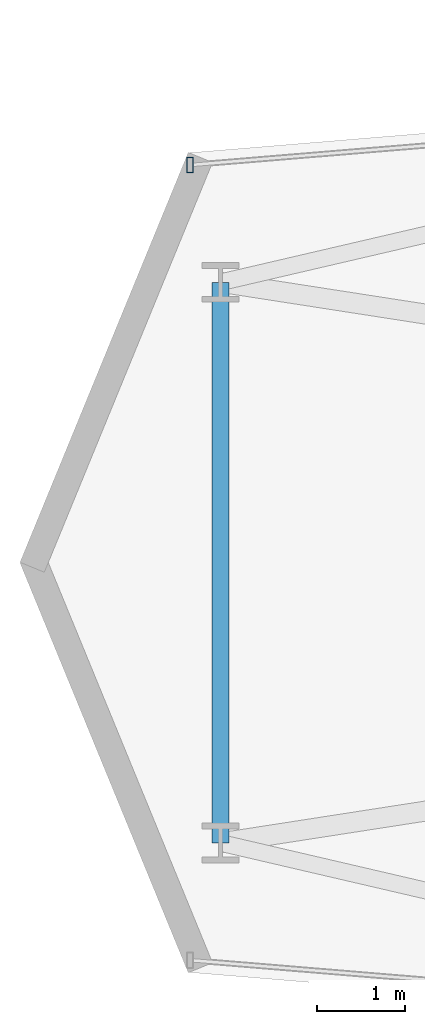
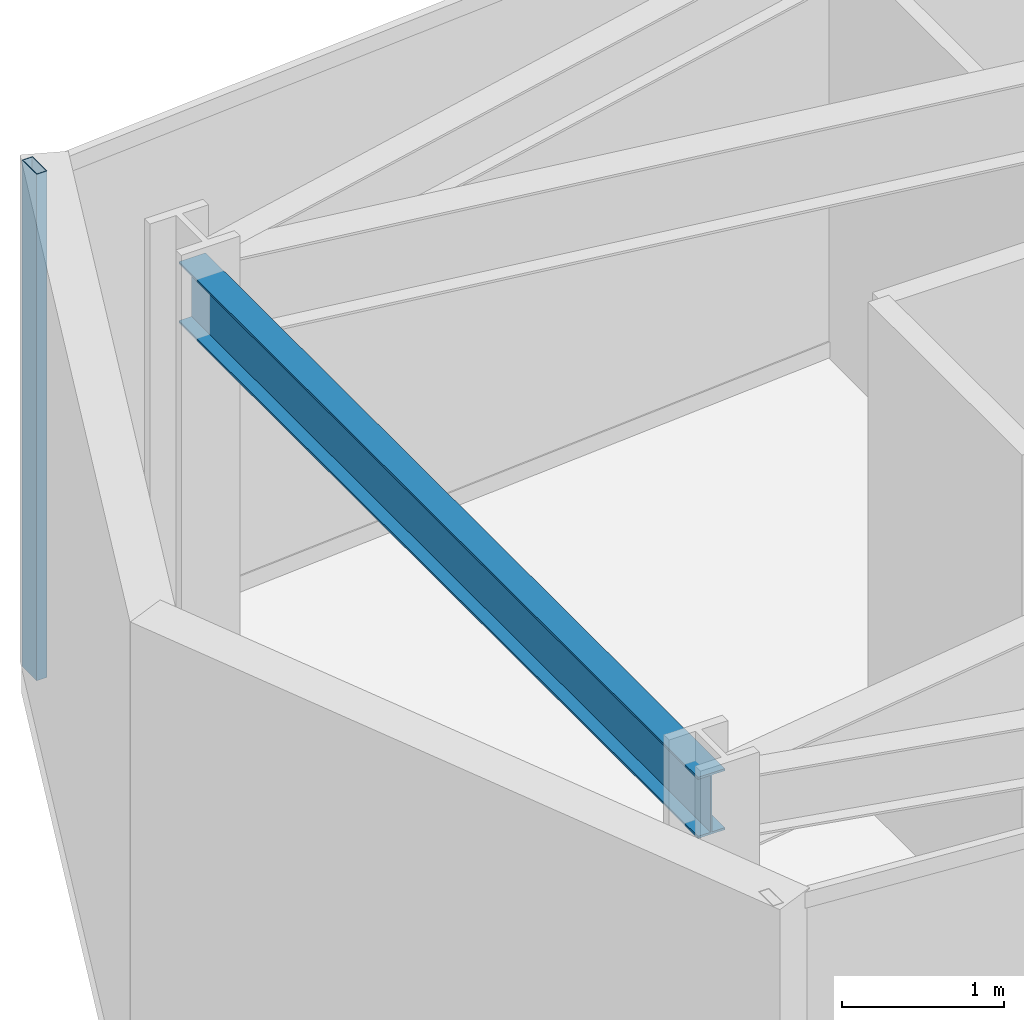
# One storey, part 6 of 25: 1 beam, 1 member, 1 element without a shape of its own.
"""IFC4 building model written with IfcOpenShell, lengths in metres."""

from ifc_helpers import new_model, si_unit, direction, frame, origin, origin_2d, place, context, subcontext, project, spatial, hollow_rectangle, i_section, extrude, material, layer, layer_set, material_profile, profile_set, type_object, element, aggregate, save


model = new_model("IFC4")

# Units and contexts
model_context = context("Model", 3, precision=1e-05, world=origin(), true_north=direction((0.0, 1.0)))
body_context = subcontext(model_context, "Body", "Model", "MODEL_VIEW")
ifc_project = project(units=[si_unit("LENGTHUNIT", "METRE"), si_unit("AREAUNIT", "SQUARE_METRE"), si_unit("VOLUMEUNIT", "CUBIC_METRE"), si_unit("PLANEANGLEUNIT", "RADIAN"), si_unit("MASSUNIT", "GRAM", prefix="KILO")], contexts=[model_context])

# Site, building, storey
site_placement = place(None, origin())
site = spatial("IfcSite", under=ifc_project, at=site_placement, CompositionType="ELEMENT")
building_placement = place(site_placement, origin())
building = spatial("IfcBuilding", under=site, at=building_placement, Name="Veymaron Broadcast Tower", CompositionType="ELEMENT")
storey_placement = place(building_placement, frame((0.0, 0.0, 120.89990234375)))
storey = spatial("IfcBuildingStorey", under=building, at=storey_placement, Name="L27", CompositionType="ELEMENT", Elevation=120.89990234375)

# Beam
ifc_material_1 = material(Name="Structural steel ASTM A992 Gr 50", Category="steel")
ifc_material_profile_1 = material_profile(ifc_material_1, i_section(OverallWidth=0.19091796875, OverallDepth=0.4599609375, WebThickness=0.010009765625, FlangeThickness=0.01611328125, at=origin_2d()), Name="W460X82")
ifc_profile_set_1 = profile_set([ifc_material_profile_1], Name="Structural steel ASTM A992 Gr 50")
beam_type = type_object("IfcBeamType", Name="BM-SP1", PredefinedType="SPANDREL", material=ifc_profile_set_1)
beam_placement = place(storey_placement, frame((10.56005859375, 20.800048828125, 3.580078125), z_axis=(0.0, 1.0, 0.0), x_axis=(-1.0, 0.0, 0.0)))
element("IfcBeam", 1, at=beam_placement, inside=storey, type_object=beam_type, Name="L27 primary structural floor girder", PredefinedType="SPANDREL", context=body_context, shape_type="SweptSolid", body=[
    extrude(i_section(OverallWidth=0.19091796875, OverallDepth=0.4599609375, WebThickness=0.010009765625, FlangeThickness=0.01611328125, at=origin_2d()), origin(), (0.0, 0.0, 1.0), 6.39990234375),
])

# Curtain wall, member
ifc_material_2 = material(Name="Anodised aluminium AA 6063-T6 and laminated low-E dark glass", Category="aluminium")
ifc_layer = layer(ifc_material_2, 0.179931640625)
ifc_layer_set = layer_set([ifc_layer], Name="Anodised aluminium AA 6063-T6 and laminated low-E dark glass")
curtain_wall_type = type_object("IfcCurtainWallType", Name="CW-SYS-03", PredefinedType="NOTDEFINED", material=ifc_layer_set)
curtain_wall_placement = place(storey_placement, origin())
curtain_wall = element("IfcCurtainWall", 2, at=curtain_wall_placement, inside=storey, type_object=curtain_wall_type, Name="L27 dark-glass curtain wall CW-L27-E11-1", PredefinedType="NOTDEFINED")
ifc_material_3 = material(Name="Anodised aluminium AA 6063-T6", Category="aluminium")
ifc_material_profile_2 = material_profile(ifc_material_3, hollow_rectangle(XDim=0.074951171875, YDim=0.179931640625, WallThickness=0.0048828125, at=origin_2d()), Name="AL180X75X5")
ifc_profile_set_2 = profile_set([ifc_material_profile_2], Name="Anodised aluminium AA 6063-T6")
member_type = type_object("IfcMemberType", Name="CW-MUL-02", PredefinedType="MULLION", material=ifc_profile_set_2)
member_placement = place(storey_placement, frame((10.211669921875, 28.5390625, 0.0), z_axis=(0.0, 0.0, 1.0), x_axis=(1.0, 0.0, 0.0)))
member = element("IfcMember", 3, at=member_placement, type_object=member_type, Name="CW-L27-E11-1 mullion 2", PredefinedType="MULLION", context=body_context, shape_type="SweptSolid", body=[
    extrude(hollow_rectangle(XDim=0.074951171875, YDim=0.179931640625, WallThickness=0.0048828125, at=origin_2d()), origin(), (0.0, 0.0, 1.0), 3.81005859375),
])
aggregate(curtain_wall, [member])

save(model, "model.ifc")
